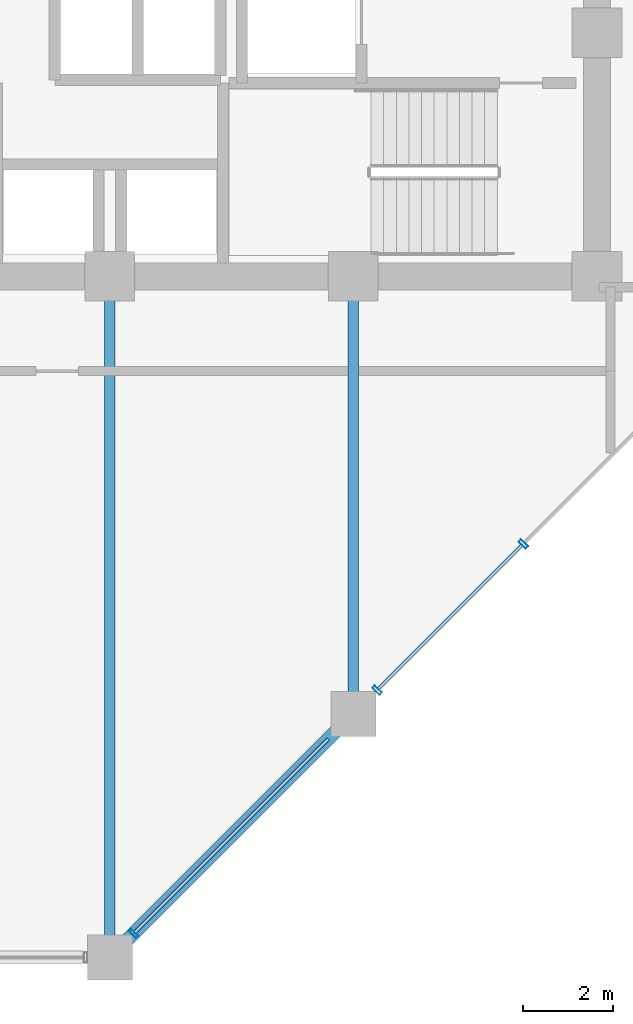
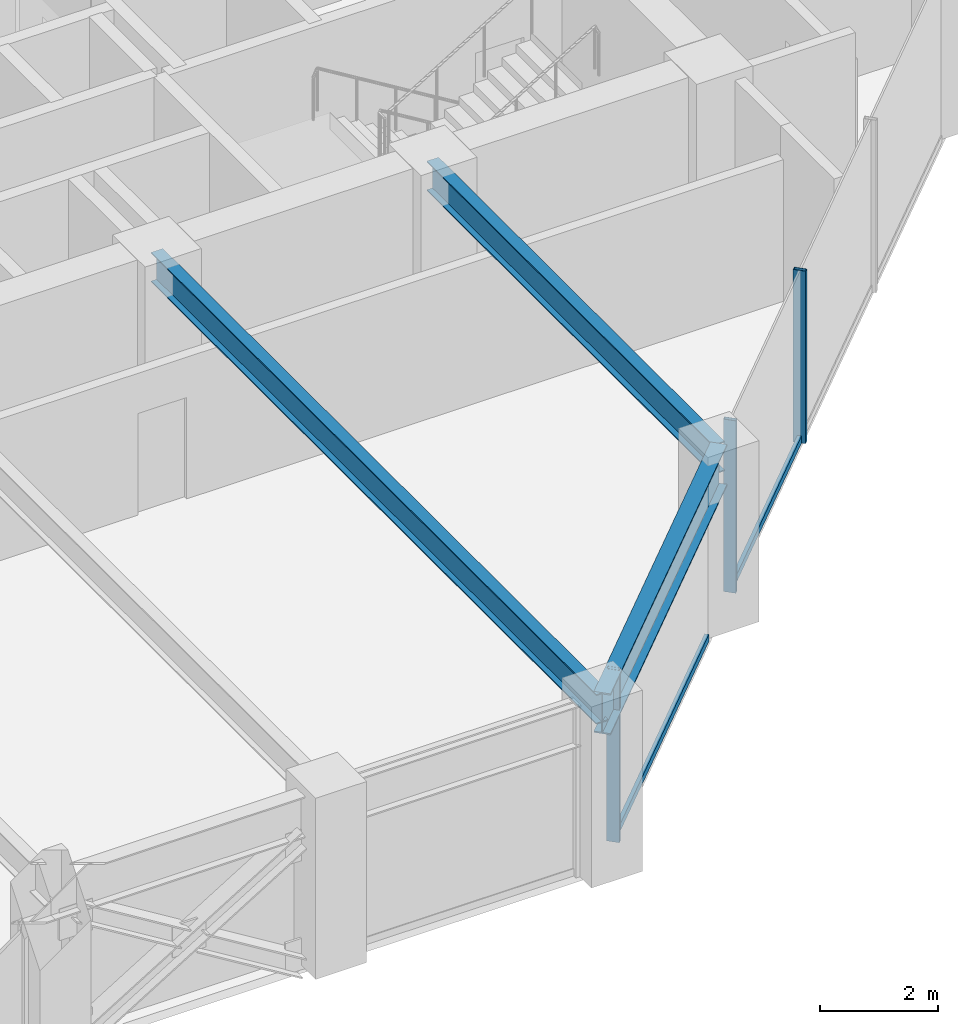
# One storey, part 7 of 23: 5 members, 3 beams, 1 element without a shape of its own.
"""IFC4 building model written with IfcOpenShell, lengths in metres."""

from ifc_helpers import new_model, si_unit, direction, frame, origin, origin_2d, place, context, subcontext, project, spatial, hollow_rectangle, i_section, extrude, material, layer, layer_set, material_profile, profile_set, type_object, element, aggregate, save


model = new_model("IFC4")

# Units and contexts
model_context = context("Model", 3, precision=1e-05, world=origin(), true_north=direction((0.0, 1.0)))
body_context = subcontext(model_context, "Body", "Model", "MODEL_VIEW")
ifc_project = project(units=[si_unit("LENGTHUNIT", "METRE"), si_unit("AREAUNIT", "SQUARE_METRE"), si_unit("VOLUMEUNIT", "CUBIC_METRE"), si_unit("PLANEANGLEUNIT", "RADIAN"), si_unit("MASSUNIT", "GRAM", prefix="KILO")], contexts=[model_context])

# Site, building, storey
site_placement = place(None, origin())
site = spatial("IfcSite", under=ifc_project, at=site_placement, CompositionType="ELEMENT")
building_placement = place(site_placement, origin())
building = spatial("IfcBuilding", under=site, at=building_placement, Name="Surkhivell Harbour Commons", CompositionType="ELEMENT")
storey_placement = place(building_placement, frame((0.0, 0.0, 135.75)))
storey = spatial("IfcBuildingStorey", under=building, at=storey_placement, Name="L35", CompositionType="ELEMENT", Elevation=135.75)

# Beams
ifc_material_1 = material(Name="Steel S355", Category="steel")
ifc_material_profile_1 = material_profile(ifc_material_1, i_section(OverallWidth=0.22998046875, OverallDepth=0.616943359375, WebThickness=0.01318359375, FlangeThickness=0.022216796875, at=origin_2d()), Name="UB610x229x140")
ifc_profile_set_1 = profile_set([ifc_material_profile_1], Name="Steel S355")
beam_type_1 = type_object("IfcBeamType", Name="BM-GRD-610B", PredefinedType="BEAM", material=ifc_profile_set_1)
beam_1_placement = place(storey_placement, frame((0.0, -25.89990234375, 3.261474609375), z_axis=(0.0, 1.0, 0.0), x_axis=(-1.0, 0.0, 0.0)))
element("IfcBeam", 1, at=beam_1_placement, inside=storey, type_object=beam_type_1, Name="L35 Floor Girder (0.0,-25.9)", PredefinedType="BEAM", context=body_context, shape_type="SweptSolid", body=[
    extrude(i_section(OverallWidth=0.22998046875, OverallDepth=0.616943359375, WebThickness=0.01318359375, FlangeThickness=0.022216796875, at=origin_2d()), origin(), (0.0, 0.0, 1.0), 15.099853515625),
])
beam_2_placement = place(storey_placement, frame((5.39990234375, -20.5, 3.261474609375), z_axis=(0.0, 1.0, 0.0), x_axis=(-1.0, 0.0, 0.0)))
element("IfcBeam", 2, at=beam_2_placement, inside=storey, type_object=beam_type_1, Name="L35 Floor Girder (5.4,-20.5)", PredefinedType="BEAM", context=body_context, shape_type="SweptSolid", body=[
    extrude(i_section(OverallWidth=0.22998046875, OverallDepth=0.616943359375, WebThickness=0.01318359375, FlangeThickness=0.022216796875, at=origin_2d()), origin(), (0.0, 0.0, 1.0), 9.699951171875),
])
ifc_material_2 = material(Name="Steel S460", Category="steel")
ifc_material_profile_2 = material_profile(ifc_material_2, i_section(OverallWidth=0.2939453125, OverallDepth=0.85107421875, WebThickness=0.01611328125, FlangeThickness=0.02685546875, at=origin_2d()), Name="UB838x292x226")
ifc_profile_set_2 = profile_set([ifc_material_profile_2], Name="Steel S460")
beam_type_2 = type_object("IfcBeamType", Name="BM-SPN-838", PredefinedType="SPANDREL", material=ifc_profile_set_2)
beam_3_placement = place(storey_placement, frame((0.0, -25.89990234375, 3.14453125), z_axis=(0.707106781187, 0.707106781187, 0.0), x_axis=(-0.707106781187, 0.707106781187, 0.0)))
element("IfcBeam", 3, at=beam_3_placement, inside=storey, type_object=beam_type_2, Name="L35 Tube Spandrel (-0.0,-25.9)", PredefinedType="SPANDREL", context=body_context, shape_type="SweptSolid", body=[
    extrude(i_section(OverallWidth=0.2939453125, OverallDepth=0.85107421875, WebThickness=0.01611328125, FlangeThickness=0.02685546875, at=origin_2d()), origin(), (0.0, 0.0, 1.0), 7.63671875),
])

# Curtain wall, members
ifc_material_3 = material(Name="Anodised pale-metal aluminium and insulated glazing", Category="aluminium")
ifc_layer = layer(ifc_material_3, 0.205078125)
ifc_layer_set = layer_set([ifc_layer], Name="Anodised pale-metal aluminium and insulated glazing")
curtain_wall_type = type_object("IfcCurtainWallType", Name="CW-SYS-Z2", PredefinedType="NOTDEFINED", material=ifc_layer_set)
curtain_wall_placement = place(storey_placement, origin())
curtain_wall = element("IfcCurtainWall", 4, at=curtain_wall_placement, inside=storey, type_object=curtain_wall_type, Name="L35 Curtain Wall CW-L35-E01", PredefinedType="NOTDEFINED")
ifc_material_4 = material(Name="Anodised pale-metal aluminium alloy 6063-T6", Category="aluminium")
ifc_material_profile_3 = material_profile(ifc_material_4, hollow_rectangle(XDim=0.074951171875, YDim=0.219970703125, WallThickness=0.00390625, at=origin_2d()), Name="ALU-MULL-75x220")
ifc_profile_set_3 = profile_set([ifc_material_profile_3], Name="Anodised pale-metal aluminium alloy 6063-T6")
member_type_1 = type_object("IfcMemberType", Name="CWM-220", PredefinedType="MULLION", material=ifc_profile_set_3)
member_1_placement = place(storey_placement, frame((0.5283203125, -25.371826171875, 0.0), z_axis=(0.0, 0.0, 1.0), x_axis=(0.707106781187, 0.707106781187, 0.0)))
member_1 = element("IfcMember", 5, at=member_1_placement, type_object=member_type_1, Name="CW-Z2 mullion 1", PredefinedType="MULLION", context=body_context, shape_type="SweptSolid", body=[
    extrude(hollow_rectangle(XDim=0.074951171875, YDim=0.219970703125, WallThickness=0.00390625, at=origin_2d()), origin(), (0.0, 0.0, 1.0), 3.570068359375),
])
member_2_placement = place(storey_placement, frame((5.92822265625, -19.9716796875, 0.0), z_axis=(0.0, 0.0, 1.0), x_axis=(0.707106781187, 0.707106781187, 0.0)))
member_2 = element("IfcMember", 6, at=member_2_placement, type_object=member_type_1, Name="CW-Z2 mullion 2", PredefinedType="MULLION", context=body_context, shape_type="SweptSolid", body=[
    extrude(hollow_rectangle(XDim=0.074951171875, YDim=0.219970703125, WallThickness=0.00390625, at=origin_2d()), origin(), (0.0, 0.0, 1.0), 3.570068359375),
])
member_3_placement = place(storey_placement, frame((9.167236328125, -16.732666015625, 0.0), z_axis=(0.0, 0.0, 1.0), x_axis=(0.707106781187, 0.707106781187, 0.0)))
member_3 = element("IfcMember", 7, at=member_3_placement, type_object=member_type_1, Name="CW-Z2 mullion 3", PredefinedType="MULLION", context=body_context, shape_type="SweptSolid", body=[
    extrude(hollow_rectangle(XDim=0.074951171875, YDim=0.219970703125, WallThickness=0.00390625, at=origin_2d()), origin(), (0.0, 0.0, 1.0), 3.570068359375),
])
ifc_material_profile_4 = material_profile(ifc_material_4, hollow_rectangle(XDim=0.074951171875, YDim=0.14990234375, WallThickness=0.00341796875, at=origin_2d()), Name="ALU-TRAN-75x150")
ifc_profile_set_4 = profile_set([ifc_material_profile_4], Name="Anodised pale-metal aluminium alloy 6063-T6")
member_type_2 = type_object("IfcMemberType", Name="CWT-150", PredefinedType="USERDEFINED", material=ifc_profile_set_4)
member_4_placement = place(storey_placement, frame((0.5546875, -25.34521484375, 0.074951171875), z_axis=(0.707106781187, 0.707106781187, 0.0), x_axis=(-0.707106781187, 0.707106781187, 0.0)))
member_4 = element("IfcMember", 8, at=member_4_placement, type_object=member_type_2, Name="CW-Z2 transom 1.1", ObjectType="TRANSOM", PredefinedType="USERDEFINED", context=body_context, shape_type="SweptSolid", body=[
    extrude(hollow_rectangle(XDim=0.074951171875, YDim=0.14990234375, WallThickness=0.00341796875, at=origin_2d()), origin(), (0.0, 0.0, 1.0), 6.067626953125),
])
member_5_placement = place(storey_placement, frame((5.954833984375, -19.9453125, 0.074951171875), z_axis=(0.707079687416, 0.707133873919, 0.0), x_axis=(-0.707133873919, 0.707079687416, 0.0)))
member_5 = element("IfcMember", 9, at=member_5_placement, type_object=member_type_2, Name="CW-Z2 transom 2.1", ObjectType="TRANSOM", PredefinedType="USERDEFINED", context=body_context, shape_type="SweptSolid", body=[
    extrude(hollow_rectangle(XDim=0.074951171875, YDim=0.14990234375, WallThickness=0.00341796875, at=origin_2d()), origin(), (0.0, 0.0, 1.0), 4.505615234375),
])
aggregate(curtain_wall, [member_1, member_4, member_2, member_3, member_5])

save(model, "model.ifc")
